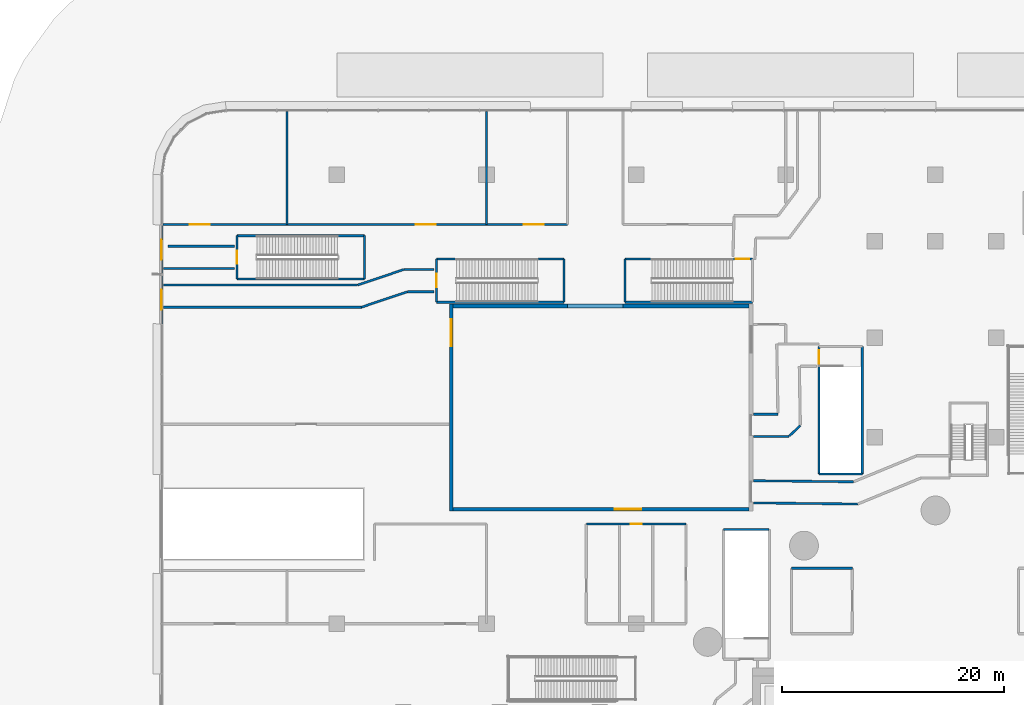
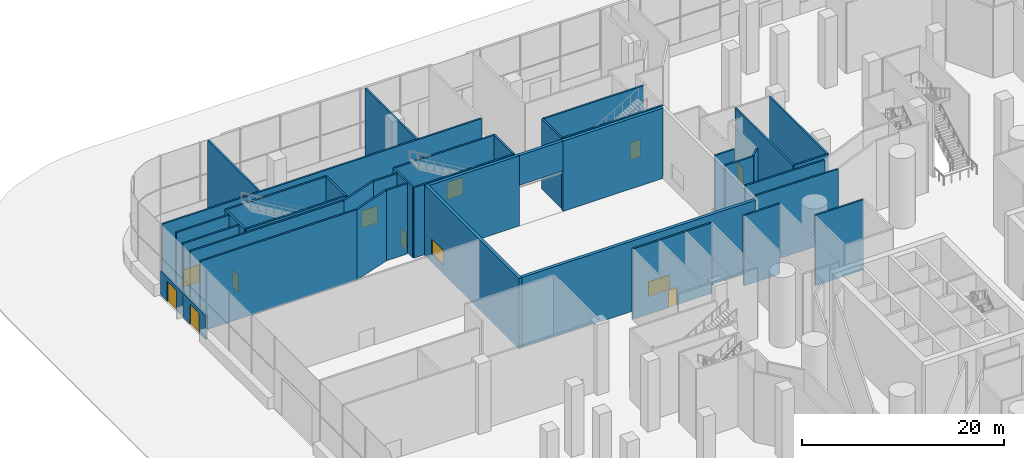
# One storey, part 28 of 54: 40 walls, 10 doors, 2 windows, 12 openings.
"""IFC4 building model written with IfcOpenShell, lengths in metres."""

from ifc_helpers import new_model, si_unit, direction, frame, frame_2d, origin, place, context, subcontext, project, spatial, rectangle, extrude, material, layer, layer_set, type_object, element, fill, save


model = new_model("IFC4")

# Units and contexts
model_context = context("Model", 3, precision=1e-05, world=origin(), true_north=direction((0.0, 1.0)))
body_context = subcontext(model_context, "Body", "Model", "MODEL_VIEW")
ifc_project = project(units=[si_unit("LENGTHUNIT", "METRE"), si_unit("AREAUNIT", "SQUARE_METRE"), si_unit("VOLUMEUNIT", "CUBIC_METRE"), si_unit("PLANEANGLEUNIT", "RADIAN"), si_unit("MASSUNIT", "GRAM", prefix="KILO")], contexts=[model_context])

# Site, building, storey
site_placement = place(None, origin())
site = spatial("IfcSite", under=ifc_project, at=site_placement, CompositionType="ELEMENT")
building_placement = place(site_placement, origin())
building = spatial("IfcBuilding", under=site, at=building_placement, Name="Tamarind Cross Interchange Tower", CompositionType="ELEMENT")
storey_placement = place(building_placement, origin())
storey = spatial("IfcBuildingStorey", under=building, at=storey_placement, Name="L00", CompositionType="ELEMENT", Elevation=0.0)

# Walls
ifc_material_1 = material(Name="Precast concrete C40", Category="concrete")
ifc_layer_1 = layer(ifc_material_1, 0.35009765625)
ifc_layer_set_1 = layer_set([ifc_layer_1], Name="Precast concrete C40")
wall_type_1 = type_object("IfcWallType", Name="Court portal pier wall", PredefinedType="SOLIDWALL", material=ifc_layer_set_1)
wall_1_placement = place(storey_placement, frame((-43.5, 42.175048828125, 0.0), z_axis=(0.0, 0.0, 1.0), x_axis=(1.0, 0.0, 0.0)))
element("IfcWall", 1, at=wall_1_placement, inside=storey, type_object=wall_type_1, Name="CTW-L00-NWN00", PredefinedType="SOLIDWALL", context=body_context, shape_type="SweptSolid", body=[
    extrude(rectangle(XDim=10.300048828125, YDim=0.35009765625, at=frame_2d((5.14990234375, 0.0))), origin(), (0.0, 0.0, 1.0), 8.5),
])
wall_2_placement = place(storey_placement, frame((-28.199951171875, 42.175048828125, 0.0), z_axis=(0.0, 0.0, 1.0), x_axis=(1.0, 0.0, 0.0)))
element("IfcWall", 2, at=wall_2_placement, inside=storey, type_object=wall_type_1, Name="CTW-L00-NWN01", PredefinedType="SOLIDWALL", context=body_context, shape_type="SweptSolid", body=[
    extrude(rectangle(XDim=11.39990234375, YDim=0.35009765625, at=frame_2d((5.699951171875, 0.0))), origin(), (0.0, 0.0, 1.0), 8.5),
])

# Wall, openings, doors
ifc_material_2 = material(Name="Masonry partition, fire-rated", Category="masonry")
ifc_layer_2 = layer(ifc_material_2, 0.199951171875)
ifc_layer_set_2 = layer_set([ifc_layer_2], Name="Masonry partition, fire-rated")
wall_type_2 = type_object("IfcWallType", Name="Fire partition 200 EI 120", PredefinedType="PARTITIONING", material=ifc_layer_set_2)
wall_3_placement = place(storey_placement, frame((-69.698974609375, 49.5, 0.0), z_axis=(0.0, 0.0, 1.0), x_axis=(1.0, 0.0, 0.0)))
wall_3 = element("IfcWall", 3, at=wall_3_placement, inside=storey, type_object=wall_type_2, Name="L00 partition 66", PredefinedType="PARTITIONING", context=body_context, shape_type="SweptSolid", body=[
    extrude(rectangle(XDim=36.4990234375, YDim=0.199951171875, at=frame_2d((18.24951171875, 0.0))), origin(), (0.0, 0.0, 1.0), 8.5),
])
opening_1_placement = place(wall_3_placement, frame((32.573974609375, 0.0, 0.0)))
opening_1 = element("IfcOpeningElement", 4, at=opening_1_placement, cuts=wall_3, Name="Opening DL00-24", PredefinedType="OPENING", context=body_context, shape_type="SweptSolid", body=[
    extrude(rectangle(XDim=1.800048828125, YDim=2.10009765625, at=frame_2d((0.89990234375, 1.050048828125))), frame((0.0, 0.10986328125, 0.0), z_axis=(0.0, -1.0, 0.0), x_axis=(1.0, 0.0, 0.0)), (0.0, 0.0, 1.0), 0.219970703125),
])
opening_2_placement = place(wall_3_placement, frame((22.799072265625, 0.0, 0.0)))
opening_2 = element("IfcOpeningElement", 5, at=opening_2_placement, cuts=wall_3, Name="Opening DL00-25", PredefinedType="OPENING", context=body_context, shape_type="SweptSolid", body=[
    extrude(rectangle(XDim=1.800048828125, YDim=2.10009765625, at=frame_2d((0.89990234375, 1.050048828125))), frame((0.0, 0.10986328125, 0.0), z_axis=(0.0, -1.0, 0.0), x_axis=(1.0, 0.0, 0.0)), (0.0, 0.0, 1.0), 0.219970703125),
])
opening_3_placement = place(wall_3_placement, frame((2.448974609375, 0.0, 0.0)))
opening_3 = element("IfcOpeningElement", 6, at=opening_3_placement, cuts=wall_3, Name="Opening DL00-26", PredefinedType="OPENING", context=body_context, shape_type="SweptSolid", body=[
    extrude(rectangle(XDim=1.800048828125, YDim=2.10009765625, at=frame_2d((0.89990234375, 1.050048828125))), frame((0.0, 0.10986328125, 0.0), z_axis=(0.0, -1.0, 0.0), x_axis=(1.0, 0.0, 0.0)), (0.0, 0.0, 1.0), 0.219970703125),
])
ifc_material_3 = material(Name="Steel, fire-resisting", Category="steel")
door_type_1 = type_object("IfcDoorType", Name="Podium door 1800 x 2100 FD60", OperationType="SINGLE_SWING_LEFT", PredefinedType="DOOR", material=ifc_material_3)
door_1_placement = place(opening_1_placement, origin())
door_1 = element("IfcDoor", 7, at=door_1_placement, inside=storey, type_object=door_type_1, Name="L00 door Coffee Bar 0009", OperationType="SINGLE_SWING_RIGHT", OverallHeight=2.10009765625, OverallWidth=1.800048828125, PredefinedType="DOOR", context=body_context, shape_type="SweptSolid", body=[
    extrude(rectangle(XDim=1.800048828125, YDim=2.10009765625, at=frame_2d((0.89990234375, 1.050048828125))), frame((0.0, 0.02490234375, 0.0), z_axis=(0.0, -1.0, 0.0), x_axis=(1.0, 0.0, 0.0)), (0.0, 0.0, 1.0), 0.050048828125),
])
fill(opening_1, door_1)
door_2_placement = place(opening_2_placement, origin())
door_2 = element("IfcDoor", 8, at=door_2_placement, inside=storey, type_object=door_type_1, Name="L00 door Ticket Agency 0010", OperationType="SINGLE_SWING_LEFT", OverallHeight=2.10009765625, OverallWidth=1.800048828125, PredefinedType="DOOR", context=body_context, shape_type="SweptSolid", body=[
    extrude(rectangle(XDim=1.800048828125, YDim=2.10009765625, at=frame_2d((0.89990234375, 1.050048828125))), frame((0.0, 0.02490234375, 0.0), z_axis=(0.0, -1.0, 0.0), x_axis=(1.0, 0.0, 0.0)), (0.0, 0.0, 1.0), 0.050048828125),
])
fill(opening_2, door_2)
door_3_placement = place(opening_3_placement, origin())
door_3 = element("IfcDoor", 9, at=door_3_placement, inside=storey, type_object=door_type_1, Name="L00 door Bank Branch 0011", OperationType="SINGLE_SWING_RIGHT", OverallHeight=2.10009765625, OverallWidth=1.800048828125, PredefinedType="DOOR", context=body_context, shape_type="SweptSolid", body=[
    extrude(rectangle(XDim=1.800048828125, YDim=2.10009765625, at=frame_2d((0.89990234375, 1.050048828125))), frame((0.0, 0.02490234375, 0.0), z_axis=(0.0, -1.0, 0.0), x_axis=(1.0, 0.0, 0.0)), (0.0, 0.0, 1.0), 0.050048828125),
])
fill(opening_3, door_3)

# Walls
for number, where, z_axis, x_axis, name in (
    (10, (-58.5, 49.5, 0.0), (0.0, 0.0, 1.0), (0.0, 1.0, 0.0), "L00 partition 73"),
    (11, (-40.5, 49.5, 0.0), (0.0, 0.0, 1.0), (0.0, 1.0, 0.0), "L00 partition 79"),
):
    element("IfcWall", number, at=place(storey_placement, frame(where, z_axis=z_axis, x_axis=x_axis)), inside=storey, type_object=wall_type_2, Name=name, PredefinedType="PARTITIONING", context=body_context, shape_type="SweptSolid", body=[
        extrude(rectangle(XDim=10.198974609375, YDim=0.199951171875, at=frame_2d((5.099609375, 0.0))), origin(), (0.0, 0.0, 1.0), 8.5),
    ])

# Wall, opening, door
ifc_layer_3 = layer(ifc_material_2, 0.199951171875)
ifc_layer_set_3 = layer_set([ifc_layer_3], Name="Masonry partition, fire-rated")
wall_type_3 = type_object("IfcWallType", Name="Fire partition 200 EI 90", PredefinedType="PARTITIONING", material=ifc_layer_set_3)
wall_4_placement = place(storey_placement, frame((-31.5, 22.5, 0.0), z_axis=(0.0, 0.0, 1.0), x_axis=(1.0, 0.0, 0.0)))
wall_4 = element("IfcWall", 12, at=wall_4_placement, inside=storey, type_object=wall_type_3, Name="L00 partition 85", PredefinedType="PARTITIONING", context=body_context, shape_type="SweptSolid", body=[
    extrude(rectangle(XDim=9.0, YDim=0.199951171875, at=frame_2d((4.5, 0.0))), origin(), (0.0, 0.0, 1.0), 8.5),
])
opening_4_placement = place(wall_4_placement, frame((4.010009765625, 0.0, 0.0)))
opening_4 = element("IfcOpeningElement", 13, at=opening_4_placement, cuts=wall_4, Name="Opening DL00-19", PredefinedType="OPENING", context=body_context, shape_type="SweptSolid", body=[
    extrude(rectangle(XDim=1.0, YDim=2.10009765625, at=frame_2d((0.5, 1.050048828125))), frame((0.0, 0.10986328125, 0.0), z_axis=(0.0, -1.0, 0.0), x_axis=(1.0, 0.0, 0.0)), (0.0, 0.0, 1.0), 0.219970703125),
])
door_type_2 = type_object("IfcDoorType", Name="Podium door 1000 x 2100 FD60", OperationType="SINGLE_SWING_LEFT", PredefinedType="DOOR", material=ifc_material_3)
door_4_placement = place(opening_4_placement, origin())
door_4 = element("IfcDoor", 14, at=door_4_placement, inside=storey, type_object=door_type_2, Name="L00 door Men's Toilets L00NW", OperationType="SINGLE_SWING_LEFT", OverallHeight=2.10009765625, OverallWidth=1.0, PredefinedType="DOOR", context=body_context, shape_type="SweptSolid", body=[
    extrude(rectangle(XDim=1.0, YDim=2.10009765625, at=frame_2d((0.5, 1.050048828125))), frame((0.0, 0.02490234375, 0.0), z_axis=(0.0, -1.0, 0.0), x_axis=(1.0, 0.0, 0.0)), (0.0, 0.0, 1.0), 0.050048828125),
])
fill(opening_4, door_4)

# Wall
wall_5_placement = place(storey_placement, frame((-13.0, 18.5, 0.0), z_axis=(0.0, 0.0, 1.0), x_axis=(1.0, 0.0, 0.0)))
element("IfcWall", 15, at=wall_5_placement, inside=storey, type_object=wall_type_3, Name="L00 partition 103", PredefinedType="PARTITIONING", context=body_context, shape_type="SweptSolid", body=[
    extrude(rectangle(XDim=5.5, YDim=0.199951171875, at=frame_2d((2.75, 0.0))), origin(), (0.0, 0.0, 1.0), 8.5),
])

# Wall, opening, door
ifc_layer_4 = layer(ifc_material_1, 0.35009765625)
ifc_layer_set_4 = layer_set([ifc_layer_4], Name="Precast concrete C40")
wall_type_4 = type_object("IfcWallType", Name="Podium facade wall", PredefinedType="SOLIDWALL", material=ifc_layer_set_4)
wall_6_placement = place(storey_placement, frame((-69.800048828125, 49.445556640625, 0.0), z_axis=(0.0, 0.0, 1.0), x_axis=(0.0, -1.0, 0.0)))
wall_6 = element("IfcWall", 16, at=wall_6_placement, inside=storey, type_object=wall_type_4, Name="EXW-L00-04-D01", PredefinedType="SOLIDWALL", context=body_context, shape_type="SweptSolid", body=[
    extrude(rectangle(XDim=4.418701171875, YDim=0.199951171875, at=frame_2d((2.20947265625, 0.0))), origin(), (0.0, 0.0, 1.0), 2.89990234375),
])
opening_5_placement = place(wall_6_placement, frame((1.309326171875, 0.0, 0.0)))
opening_5 = element("IfcOpeningElement", 17, at=opening_5_placement, cuts=wall_6, Name="Opening D7", PredefinedType="OPENING", context=body_context, shape_type="SweptSolid", body=[
    extrude(rectangle(XDim=1.800048828125, YDim=2.39990234375, at=frame_2d((0.89990234375, 1.199951171875))), frame((0.0, 0.10986328125, 0.0), z_axis=(0.0, -1.0, 0.0), x_axis=(1.0, 0.0, 0.0)), (0.0, 0.0, 1.0), 0.219970703125),
])
ifc_material_4 = material(Name="Steel FD90", Category="steel")
door_type_3 = type_object("IfcDoorType", Name="Exit passage door", OperationType="DOUBLE_DOOR_SINGLE_SWING", PredefinedType="DOOR", material=ifc_material_4)
door_5_placement = place(opening_5_placement, frame((1.800048828125, 0.0, 0.0), z_axis=(0.0, 0.0, 1.0), x_axis=(-1.0, 0.0, 0.0)))
door_5 = element("IfcDoor", 18, at=door_5_placement, inside=storey, type_object=door_type_3, Name="DOR-L00-04-01", OperationType="SINGLE_SWING_LEFT", OverallHeight=2.39990234375, OverallWidth=1.800048828125, PredefinedType="DOOR", context=body_context, shape_type="SweptSolid", body=[
    extrude(rectangle(XDim=1.800048828125, YDim=2.39990234375, at=frame_2d((0.89990234375, 1.199951171875))), frame((0.0, 0.02490234375, 0.0), z_axis=(0.0, -1.0, 0.0), x_axis=(1.0, 0.0, 0.0)), (0.0, 0.0, 1.0), 0.050048828125),
])
fill(opening_5, door_5)

wall_7_placement = place(storey_placement, frame((-69.800048828125, 44.94677734375, 0.0), z_axis=(0.0, 0.0, 1.0), x_axis=(0.0, -1.0, 0.0)))
wall_7 = element("IfcWall", 19, at=wall_7_placement, inside=storey, type_object=wall_type_4, Name="EXW-L00-04-D02", PredefinedType="SOLIDWALL", context=body_context, shape_type="SweptSolid", body=[
    extrude(rectangle(XDim=4.418701171875, YDim=0.199951171875, at=frame_2d((2.20947265625, 0.0))), origin(), (0.0, 0.0, 1.0), 2.89990234375),
])
opening_6_placement = place(wall_7_placement, frame((1.309326171875, 0.0, 0.0)))
opening_6 = element("IfcOpeningElement", 20, at=opening_6_placement, cuts=wall_7, Name="Opening D7", PredefinedType="OPENING", context=body_context, shape_type="SweptSolid", body=[
    extrude(rectangle(XDim=1.800048828125, YDim=2.39990234375, at=frame_2d((0.89990234375, 1.199951171875))), frame((0.0, 0.10986328125, 0.0), z_axis=(0.0, -1.0, 0.0), x_axis=(1.0, 0.0, 0.0)), (0.0, 0.0, 1.0), 0.219970703125),
])
door_6_placement = place(opening_6_placement, frame((1.800048828125, 0.0, 0.0), z_axis=(0.0, 0.0, 1.0), x_axis=(-1.0, 0.0, 0.0)))
door_6 = element("IfcDoor", 21, at=door_6_placement, inside=storey, type_object=door_type_3, Name="DOR-L00-04-02", OperationType="SINGLE_SWING_LEFT", OverallHeight=2.39990234375, OverallWidth=1.800048828125, PredefinedType="DOOR", context=body_context, shape_type="SweptSolid", body=[
    extrude(rectangle(XDim=1.800048828125, YDim=2.39990234375, at=frame_2d((0.89990234375, 1.199951171875))), frame((0.0, 0.02490234375, 0.0), z_axis=(0.0, -1.0, 0.0), x_axis=(1.0, 0.0, 0.0)), (0.0, 0.0, 1.0), 0.050048828125),
])
fill(opening_6, door_6)

# Wall, opening, window
wall_8_placement = place(storey_placement, frame((-43.5, 23.824951171875, 0.0), z_axis=(0.0, 0.0, 1.0), x_axis=(1.0, 0.0, 0.0)))
wall_8 = element("IfcWall", 22, at=wall_8_placement, inside=storey, type_object=wall_type_4, Name="CTW-L00-NWS00", PredefinedType="SOLIDWALL", context=body_context, shape_type="SweptSolid", body=[
    extrude(rectangle(XDim=26.699951171875, YDim=0.35009765625, at=frame_2d((13.35009765625, 0.0))), origin(), (0.0, 0.0, 1.0), 8.5),
])
opening_7_placement = place(wall_8_placement, frame((14.550048828125, 0.0, 1.0)))
opening_7 = element("IfcOpeningElement", 23, at=opening_7_placement, cuts=wall_8, Name="Opening W4", PredefinedType="OPENING", context=body_context, shape_type="SweptSolid", body=[
    extrude(rectangle(XDim=2.39990234375, YDim=1.800048828125, at=frame_2d((1.199951171875, 0.89990234375))), frame((0.0, 0.18505859375, 0.0), z_axis=(0.0, -1.0, 0.0), x_axis=(1.0, 0.0, 0.0)), (0.0, 0.0, 1.0), 0.3701171875),
])
ifc_material_5 = material(Name="Aluminium and toughened glass", Category="aluminium")
window_type = type_object("IfcWindowType", Name="Podium daylight window", PartitioningType="SINGLE_PANEL", PredefinedType="WINDOW", material=ifc_material_5)
window_1_placement = place(opening_7_placement, origin())
window_1 = element("IfcWindow", 24, at=window_1_placement, inside=storey, type_object=window_type, Name="CTX-L00-NWS-01-00", OverallHeight=1.800048828125, OverallWidth=2.39990234375, PartitioningType="SINGLE_PANEL", PredefinedType="WINDOW", context=body_context, shape_type="SweptSolid", body=[
    extrude(rectangle(XDim=2.39990234375, YDim=1.800048828125, at=frame_2d((1.199951171875, 0.89990234375))), frame((0.0, 0.030029296875, 0.0), z_axis=(0.0, -1.0, 0.0), x_axis=(1.0, 0.0, 0.0)), (0.0, 0.0, 1.0), 0.06005859375),
])
fill(opening_7, window_1)

# Wall
wall_9_placement = place(storey_placement, frame((-33.199951171875, 42.175048828125, 4.89990234375), z_axis=(0.0, 0.0, 1.0), x_axis=(1.0, 0.0, 0.0)))
element("IfcWall", 25, at=wall_9_placement, inside=storey, type_object=wall_type_4, Name="CTW-L00-NWN02", PredefinedType="SOLIDWALL", context=body_context, shape_type="SweptSolid", body=[
    extrude(rectangle(XDim=5.0, YDim=0.35009765625, at=frame_2d((2.5, 0.0))), origin(), (0.0, 0.0, 1.0), 3.60009765625),
])

# Wall, opening, window
wall_10_placement = place(storey_placement, frame((-43.675048828125, 23.64990234375, 0.0), z_axis=(0.0, 0.0, 1.0), x_axis=(0.0, 1.0, 0.0)))
wall_10 = element("IfcWall", 26, at=wall_10_placement, inside=storey, type_object=wall_type_4, Name="CTW-L00-NWW00", PredefinedType="SOLIDWALL", context=body_context, shape_type="SweptSolid", body=[
    extrude(rectangle(XDim=18.7001953125, YDim=0.35009765625, at=frame_2d((9.35009765625, 0.0))), origin(), (0.0, 0.0, 1.0), 8.5),
])
opening_8_placement = place(wall_10_placement, frame((14.89990234375, 0.0, 1.0)))
opening_8 = element("IfcOpeningElement", 27, at=opening_8_placement, cuts=wall_10, Name="Opening W4", PredefinedType="OPENING", context=body_context, shape_type="SweptSolid", body=[
    extrude(rectangle(XDim=2.39990234375, YDim=1.800048828125, at=frame_2d((1.199951171875, 0.89990234375))), frame((0.0, 0.18505859375, 0.0), z_axis=(0.0, -1.0, 0.0), x_axis=(1.0, 0.0, 0.0)), (0.0, 0.0, 1.0), 0.3701171875),
])
window_2_placement = place(opening_8_placement, origin())
window_2 = element("IfcWindow", 28, at=window_2_placement, inside=storey, type_object=window_type, Name="CTX-L00-NWW-01-00", OverallHeight=1.800048828125, OverallWidth=2.39990234375, PartitioningType="SINGLE_PANEL", PredefinedType="WINDOW", context=body_context, shape_type="SweptSolid", body=[
    extrude(rectangle(XDim=2.39990234375, YDim=1.800048828125, at=frame_2d((1.199951171875, 0.89990234375))), frame((0.0, 0.030029296875, 0.0), z_axis=(0.0, -1.0, 0.0), x_axis=(1.0, 0.0, 0.0)), (0.0, 0.0, 1.0), 0.06005859375),
])
fill(opening_8, window_2)

# Walls
ifc_material_6 = material(Name="Concrete C40", Category="concrete")
ifc_layer_5 = layer(ifc_material_6, 0.199951171875)
ifc_layer_set_5 = layer_set([ifc_layer_5], Name="Concrete C40")
wall_type_5 = type_object("IfcWallType", Name="Protected passage wall 200 EI 180", PredefinedType="PARTITIONING", material=ifc_layer_set_5)
wall_11_placement = place(storey_placement, frame((-7.007080078125, 24.2978515625, 0.0), z_axis=(0.0, 0.0, 1.0), x_axis=(-0.999941090537, 0.010854282822, 0.0)))
element("IfcWall", 29, at=wall_11_placement, inside=storey, type_object=wall_type_5, Name="L00 passage wall 128", PredefinedType="PARTITIONING", context=body_context, shape_type="SweptSolid", body=[
    extrude(rectangle(XDim=9.42431640625, YDim=0.199951171875, at=frame_2d((4.712158203125, 0.0))), origin(), (0.0, 0.0, 1.0), 8.5),
])
wall_12_placement = place(storey_placement, frame((-7.392822265625, 26.30224609375, 0.0), z_axis=(0.0, 0.0, 1.0), x_axis=(-0.99994134978, 0.010830373938, 0.0)))
element("IfcWall", 30, at=wall_12_placement, inside=storey, type_object=wall_type_5, Name="L00 passage wall 131", PredefinedType="PARTITIONING", context=body_context, shape_type="SweptSolid", body=[
    extrude(rectangle(XDim=9.016845703125, YDim=0.199951171875, at=frame_2d((4.50830078125, 0.0))), origin(), (0.0, 0.0, 1.0), 8.5),
])
wall_13_placement = place(storey_placement, frame((-45.219970703125, 43.449951171875, 0.0), z_axis=(0.0, 0.0, 1.0), x_axis=(-1.0, 0.0, 0.0)))
element("IfcWall", 31, at=wall_13_placement, inside=storey, type_object=wall_type_5, Name="L00 passage wall 175", PredefinedType="PARTITIONING", context=body_context, shape_type="SweptSolid", body=[
    extrude(rectangle(XDim=2.416015625, YDim=0.199951171875, at=frame_2d((1.2080078125, 0.0))), origin(), (0.0, 0.0, 1.0), 8.5),
])
wall_14_placement = place(storey_placement, frame((-47.635986328125, 43.449951171875, 0.0), z_axis=(0.0, 0.0, 1.0), x_axis=(-0.947539982163, -0.319637266603, 0.0)))
element("IfcWall", 32, at=wall_14_placement, inside=storey, type_object=wall_type_5, Name="L00 passage wall 176", PredefinedType="PARTITIONING", context=body_context, shape_type="SweptSolid", body=[
    extrude(rectangle(XDim=4.379638671875, YDim=0.199951171875, at=frame_2d((2.18994140625, 0.0))), origin(), (0.0, 0.0, 1.0), 8.5),
])
wall_15_placement = place(storey_placement, frame((-51.785888671875, 42.050048828125, 0.0), z_axis=(0.0, 0.0, 1.0), x_axis=(-1.0, 0.0, 0.0)))
element("IfcWall", 33, at=wall_15_placement, inside=storey, type_object=wall_type_5, Name="L00 passage wall 177", PredefinedType="PARTITIONING", context=body_context, shape_type="SweptSolid", body=[
    extrude(rectangle(XDim=17.864013671875, YDim=0.199951171875, at=frame_2d((8.93212890625, 0.0))), origin(), (0.0, 0.0, 1.0), 8.5),
])
wall_16_placement = place(storey_placement, frame((-45.219970703125, 45.449951171875, 0.0), z_axis=(0.0, 0.0, 1.0), x_axis=(-1.0, 0.0, 0.0)))
element("IfcWall", 34, at=wall_16_placement, inside=storey, type_object=wall_type_5, Name="L00 passage wall 178", PredefinedType="PARTITIONING", context=body_context, shape_type="SweptSolid", body=[
    extrude(rectangle(XDim=2.744140625, YDim=0.199951171875, at=frame_2d((1.3720703125, 0.0))), origin(), (0.0, 0.0, 1.0), 8.5),
])
wall_17_placement = place(storey_placement, frame((-47.964111328125, 45.449951171875, 0.0), z_axis=(0.0, 0.0, 1.0), x_axis=(-0.947539982163, -0.319637266603, 0.0)))
element("IfcWall", 35, at=wall_17_placement, inside=storey, type_object=wall_type_5, Name="L00 passage wall 179", PredefinedType="PARTITIONING", context=body_context, shape_type="SweptSolid", body=[
    extrude(rectangle(XDim=4.379638671875, YDim=0.199951171875, at=frame_2d((2.18994140625, 0.0))), origin(), (0.0, 0.0, 1.0), 8.5),
])
wall_18_placement = place(storey_placement, frame((-52.114013671875, 44.050048828125, 0.0), z_axis=(0.0, 0.0, 1.0), x_axis=(-1.0, 0.0, 0.0)))
element("IfcWall", 36, at=wall_18_placement, inside=storey, type_object=wall_type_5, Name="L00 passage wall 180", PredefinedType="PARTITIONING", context=body_context, shape_type="SweptSolid", body=[
    extrude(rectangle(XDim=17.535888671875, YDim=0.199951171875, at=frame_2d((8.76806640625, 0.0))), origin(), (0.0, 0.0, 1.0), 8.5),
])
wall_19_placement = place(storey_placement, frame((-63.219970703125, 45.550048828125, 0.0), z_axis=(0.0, 0.0, 1.0), x_axis=(-1.0, 0.0, 0.0)))
element("IfcWall", 37, at=wall_19_placement, inside=storey, type_object=wall_type_5, Name="L00 passage wall 181", PredefinedType="PARTITIONING", context=body_context, shape_type="SweptSolid", body=[
    extrude(rectangle(XDim=6.429931640625, YDim=0.199951171875, at=frame_2d((3.21484375, 0.0))), origin(), (0.0, 0.0, 1.0), 8.5),
])
wall_20_placement = place(storey_placement, frame((-63.219970703125, 47.550048828125, 0.0), z_axis=(0.0, 0.0, 1.0), x_axis=(-1.0, 0.0, 0.0)))
element("IfcWall", 38, at=wall_20_placement, inside=storey, type_object=wall_type_5, Name="L00 passage wall 182", PredefinedType="PARTITIONING", context=body_context, shape_type="SweptSolid", body=[
    extrude(rectangle(XDim=6.010009765625, YDim=0.199951171875, at=frame_2d((3.0048828125, 0.0))), origin(), (0.0, 0.0, 1.0), 8.5),
])
wall_21_placement = place(storey_placement, frame((-12.192626953125, 31.37841796875, 0.0), z_axis=(0.0, 0.0, 1.0), x_axis=(-0.724197315558, -0.689592813288, 0.0)))
element("IfcWall", 39, at=wall_21_placement, inside=storey, type_object=wall_type_5, Name="L00 passage wall 220", PredefinedType="PARTITIONING", context=body_context, shape_type="SweptSolid", body=[
    extrude(rectangle(XDim=1.36865234375, YDim=0.199951171875, at=frame_2d((0.684326171875, 0.0))), origin(), (0.0, 0.0, 1.0), 8.5),
])
wall_22_placement = place(storey_placement, frame((-13.219970703125, 30.39990234375, 0.0), z_axis=(0.0, 0.0, 1.0), x_axis=(-1.0, 0.0, 0.0)))
element("IfcWall", 40, at=wall_22_placement, inside=storey, type_object=wall_type_5, Name="L00 passage wall 221", PredefinedType="PARTITIONING", context=body_context, shape_type="SweptSolid", body=[
    extrude(rectangle(XDim=3.199951171875, YDim=0.199951171875, at=frame_2d((1.60009765625, 0.0))), origin(), (0.0, 0.0, 1.0), 8.5),
])
wall_23_placement = place(storey_placement, frame((-14.210205078125, 32.39990234375, 0.0), z_axis=(0.0, 0.0, 1.0), x_axis=(-1.0, 0.0, 0.0)))
element("IfcWall", 41, at=wall_23_placement, inside=storey, type_object=wall_type_5, Name="L00 passage wall 224", PredefinedType="PARTITIONING", context=body_context, shape_type="SweptSolid", body=[
    extrude(rectangle(XDim=2.209716796875, YDim=0.199951171875, at=frame_2d((1.10498046875, 0.0))), origin(), (0.0, 0.0, 1.0), 8.5),
])
ifc_layer_6 = layer(ifc_material_6, 0.199951171875)
ifc_layer_set_6 = layer_set([ifc_layer_6], Name="Concrete C40")
wall_type_6 = type_object("IfcWallType", Name="Stair shaft wall 200 EI 180", PredefinedType="PARTITIONING", material=ifc_layer_set_6)
wall_24_placement = place(storey_placement, frame((-63.0, 48.5, 0.0), z_axis=(0.0, 0.0, 1.0), x_axis=(1.0, 0.0, 0.0)))
element("IfcWall", 42, at=wall_24_placement, inside=storey, type_object=wall_type_6, Name="L00 stair shaft wall 1", PredefinedType="PARTITIONING", context=body_context, shape_type="SweptSolid", body=[
    extrude(rectangle(XDim=11.5, YDim=0.199951171875, at=frame_2d((5.75, 0.0))), origin(), (0.0, 0.0, 1.0), 8.5),
])
wall_25_placement = place(storey_placement, frame((-51.5, 44.60009765625, 0.0), z_axis=(0.0, 0.0, 1.0), x_axis=(0.0, 1.0, 0.0)))
element("IfcWall", 43, at=wall_25_placement, inside=storey, type_object=wall_type_6, Name="L00 stair shaft wall 2", PredefinedType="PARTITIONING", context=body_context, shape_type="SweptSolid", body=[
    extrude(rectangle(XDim=3.89990234375, YDim=0.199951171875, at=frame_2d((1.949951171875, 0.0))), origin(), (0.0, 0.0, 1.0), 8.5),
])
wall_26_placement = place(storey_placement, frame((-63.0, 44.60009765625, 0.0), z_axis=(0.0, 0.0, 1.0), x_axis=(1.0, 0.0, 0.0)))
element("IfcWall", 44, at=wall_26_placement, inside=storey, type_object=wall_type_6, Name="L00 stair shaft wall 3", PredefinedType="PARTITIONING", context=body_context, shape_type="SweptSolid", body=[
    extrude(rectangle(XDim=11.5, YDim=0.199951171875, at=frame_2d((5.75, 0.0))), origin(), (0.0, 0.0, 1.0), 8.5),
])

# Wall, opening, door
wall_27_placement = place(storey_placement, frame((-63.0, 44.60009765625, 0.0), z_axis=(0.0, 0.0, 1.0), x_axis=(0.0, 1.0, 0.0)))
wall_27 = element("IfcWall", 45, at=wall_27_placement, inside=storey, type_object=wall_type_6, Name="L00 stair shaft wall 4", PredefinedType="PARTITIONING", context=body_context, shape_type="SweptSolid", body=[
    extrude(rectangle(XDim=3.89990234375, YDim=0.199951171875, at=frame_2d((1.949951171875, 0.0))), origin(), (0.0, 0.0, 1.0), 8.5),
])
opening_9_placement = place(wall_27_placement, frame((1.35009765625, 0.0, 0.0)))
opening_9 = element("IfcOpeningElement", 46, at=opening_9_placement, cuts=wall_27, Name="Opening DL00-07", PredefinedType="OPENING", context=body_context, shape_type="SweptSolid", body=[
    extrude(rectangle(XDim=1.199951171875, YDim=2.10009765625, at=frame_2d((0.60009765625, 1.050048828125))), frame((0.0, 0.10986328125, 0.0), z_axis=(0.0, -1.0, 0.0), x_axis=(1.0, 0.0, 0.0)), (0.0, 0.0, 1.0), 0.219970703125),
])
door_type_4 = type_object("IfcDoorType", Name="Podium door 1200 x 2100 FD90", OperationType="SINGLE_SWING_LEFT", PredefinedType="DOOR", material=ifc_material_3)
door_7_placement = place(opening_9_placement, origin())
door_7 = element("IfcDoor", 47, at=door_7_placement, inside=storey, type_object=door_type_4, Name="L00 door Exit Stair PX5", OperationType="SINGLE_SWING_LEFT", OverallHeight=2.10009765625, OverallWidth=1.199951171875, PredefinedType="DOOR", context=body_context, shape_type="SweptSolid", body=[
    extrude(rectangle(XDim=1.199951171875, YDim=2.10009765625, at=frame_2d((0.60009765625, 1.050048828125))), frame((0.0, 0.02490234375, 0.0), z_axis=(0.0, -1.0, 0.0), x_axis=(1.0, 0.0, 0.0)), (0.0, 0.0, 1.0), 0.050048828125),
])
fill(opening_9, door_7)

# Walls
wall_28_placement = place(storey_placement, frame((-45.0, 46.39990234375, 0.0), z_axis=(0.0, 0.0, 1.0), x_axis=(1.0, 0.0, 0.0)))
element("IfcWall", 48, at=wall_28_placement, inside=storey, type_object=wall_type_6, Name="L00 stair shaft wall 13", PredefinedType="PARTITIONING", context=body_context, shape_type="SweptSolid", body=[
    extrude(rectangle(XDim=11.5, YDim=0.199951171875, at=frame_2d((5.75, 0.0))), origin(), (0.0, 0.0, 1.0), 8.5),
])
wall_29_placement = place(storey_placement, frame((-33.5, 42.5, 0.0), z_axis=(0.0, 0.0, 1.0), x_axis=(0.0, 1.0, 0.0)))
element("IfcWall", 49, at=wall_29_placement, inside=storey, type_object=wall_type_6, Name="L00 stair shaft wall 14", PredefinedType="PARTITIONING", context=body_context, shape_type="SweptSolid", body=[
    extrude(rectangle(XDim=3.89990234375, YDim=0.199951171875, at=frame_2d((1.949951171875, 0.0))), origin(), (0.0, 0.0, 1.0), 8.5),
])
wall_30_placement = place(storey_placement, frame((-45.0, 42.5, 0.0), z_axis=(0.0, 0.0, 1.0), x_axis=(1.0, 0.0, 0.0)))
element("IfcWall", 50, at=wall_30_placement, inside=storey, type_object=wall_type_6, Name="L00 stair shaft wall 15", PredefinedType="PARTITIONING", context=body_context, shape_type="SweptSolid", body=[
    extrude(rectangle(XDim=11.5, YDim=0.199951171875, at=frame_2d((5.75, 0.0))), origin(), (0.0, 0.0, 1.0), 8.5),
])

# Wall, opening, door
wall_31_placement = place(storey_placement, frame((-45.0, 42.5, 0.0), z_axis=(0.0, 0.0, 1.0), x_axis=(0.0, 1.0, 0.0)))
wall_31 = element("IfcWall", 51, at=wall_31_placement, inside=storey, type_object=wall_type_6, Name="L00 stair shaft wall 16", PredefinedType="PARTITIONING", context=body_context, shape_type="SweptSolid", body=[
    extrude(rectangle(XDim=3.89990234375, YDim=0.199951171875, at=frame_2d((1.949951171875, 0.0))), origin(), (0.0, 0.0, 1.0), 8.5),
])
opening_10_placement = place(wall_31_placement, frame((1.35009765625, 0.0, 0.0)))
opening_10 = element("IfcOpeningElement", 52, at=opening_10_placement, cuts=wall_31, Name="Opening DL00-06", PredefinedType="OPENING", context=body_context, shape_type="SweptSolid", body=[
    extrude(rectangle(XDim=1.199951171875, YDim=2.10009765625, at=frame_2d((0.60009765625, 1.050048828125))), frame((0.0, 0.10986328125, 0.0), z_axis=(0.0, -1.0, 0.0), x_axis=(1.0, 0.0, 0.0)), (0.0, 0.0, 1.0), 0.219970703125),
])
door_8_placement = place(opening_10_placement, origin())
door_8 = element("IfcDoor", 53, at=door_8_placement, inside=storey, type_object=door_type_4, Name="L00 door Exit Stair PX4", OperationType="SINGLE_SWING_RIGHT", OverallHeight=2.10009765625, OverallWidth=1.199951171875, PredefinedType="DOOR", context=body_context, shape_type="SweptSolid", body=[
    extrude(rectangle(XDim=1.199951171875, YDim=2.10009765625, at=frame_2d((0.60009765625, 1.050048828125))), frame((0.0, 0.02490234375, 0.0), z_axis=(0.0, -1.0, 0.0), x_axis=(1.0, 0.0, 0.0)), (0.0, 0.0, 1.0), 0.050048828125),
])
fill(opening_10, door_8)

# Walls
wall_32_placement = place(storey_placement, frame((-19.10009765625, 22.0, 0.0), z_axis=(0.0, 0.0, 1.0), x_axis=(1.0, 0.0, 0.0)))
element("IfcWall", 54, at=wall_32_placement, inside=storey, type_object=wall_type_6, Name="L00 stair shaft wall 22", PredefinedType="PARTITIONING", context=body_context, shape_type="SweptSolid", body=[
    extrude(rectangle(XDim=4.10009765625, YDim=0.199951171875, at=frame_2d((2.050048828125, 0.0))), origin(), (0.0, 0.0, 1.0), 8.5),
])
wall_33_placement = place(storey_placement, frame((-28.0, 42.5, 0.0), z_axis=(0.0, 0.0, 1.0), x_axis=(1.0, 0.0, 0.0)))
element("IfcWall", 55, at=wall_33_placement, inside=storey, type_object=wall_type_6, Name="L00 stair shaft wall 25", PredefinedType="PARTITIONING", context=body_context, shape_type="SweptSolid", body=[
    extrude(rectangle(XDim=11.5, YDim=0.199951171875, at=frame_2d((5.75, 0.0))), origin(), (0.0, 0.0, 1.0), 8.5),
])
wall_34_placement = place(storey_placement, frame((-28.0, 42.5, 0.0), z_axis=(0.0, 0.0, 1.0), x_axis=(0.0, 1.0, 0.0)))
element("IfcWall", 56, at=wall_34_placement, inside=storey, type_object=wall_type_6, Name="L00 stair shaft wall 26", PredefinedType="PARTITIONING", context=body_context, shape_type="SweptSolid", body=[
    extrude(rectangle(XDim=3.89990234375, YDim=0.199951171875, at=frame_2d((1.949951171875, 0.0))), origin(), (0.0, 0.0, 1.0), 8.5),
])

# Wall, opening, door
wall_35_placement = place(storey_placement, frame((-28.0, 46.39990234375, 0.0), z_axis=(0.0, 0.0, 1.0), x_axis=(1.0, 0.0, 0.0)))
wall_35 = element("IfcWall", 57, at=wall_35_placement, inside=storey, type_object=wall_type_6, Name="L00 stair shaft wall 27", PredefinedType="PARTITIONING", context=body_context, shape_type="SweptSolid", body=[
    extrude(rectangle(XDim=11.5, YDim=0.199951171875, at=frame_2d((5.75, 0.0))), origin(), (0.0, 0.0, 1.0), 8.5),
])
opening_11_placement = place(wall_35_placement, frame((9.98681640625, 0.0, 0.0)))
opening_11 = element("IfcOpeningElement", 58, at=opening_11_placement, cuts=wall_35, Name="Opening DL00-08", PredefinedType="OPENING", context=body_context, shape_type="SweptSolid", body=[
    extrude(rectangle(XDim=1.199951171875, YDim=2.10009765625, at=frame_2d((0.60009765625, 1.050048828125))), frame((0.0, 0.10986328125, 0.0), z_axis=(0.0, -1.0, 0.0), x_axis=(1.0, 0.0, 0.0)), (0.0, 0.0, 1.0), 0.219970703125),
])
door_9_placement = place(opening_11_placement, origin())
door_9 = element("IfcDoor", 59, at=door_9_placement, inside=storey, type_object=door_type_4, Name="L00 door Exit Stair PX6", OperationType="SINGLE_SWING_RIGHT", OverallHeight=2.10009765625, OverallWidth=1.199951171875, PredefinedType="DOOR", context=body_context, shape_type="SweptSolid", body=[
    extrude(rectangle(XDim=1.199951171875, YDim=2.10009765625, at=frame_2d((0.60009765625, 1.050048828125))), frame((0.0, 0.02490234375, 0.0), z_axis=(0.0, -1.0, 0.0), x_axis=(1.0, 0.0, 0.0)), (0.0, 0.0, 1.0), 0.050048828125),
])
fill(opening_11, door_9)

# Walls
wall_36_placement = place(storey_placement, frame((-6.60009765625, 27.0, 0.0), z_axis=(0.0, 0.0, 1.0), x_axis=(0.0, 1.0, 0.0)))
element("IfcWall", 60, at=wall_36_placement, inside=storey, type_object=wall_type_6, Name="L00 stair shaft wall 29", PredefinedType="PARTITIONING", context=body_context, shape_type="SweptSolid", body=[
    extrude(rectangle(XDim=11.5, YDim=0.199951171875, at=frame_2d((5.75, 0.0))), origin(), (0.0, 0.0, 1.0), 8.5),
])
wall_37_placement = place(storey_placement, frame((-10.5, 27.0, 0.0), z_axis=(0.0, 0.0, 1.0), x_axis=(1.0, 0.0, 0.0)))
element("IfcWall", 61, at=wall_37_placement, inside=storey, type_object=wall_type_6, Name="L00 stair shaft wall 30", PredefinedType="PARTITIONING", context=body_context, shape_type="SweptSolid", body=[
    extrude(rectangle(XDim=3.89990234375, YDim=0.199951171875, at=frame_2d((1.949951171875, 0.0))), origin(), (0.0, 0.0, 1.0), 8.5),
])

# Wall, opening, door
wall_38_placement = place(storey_placement, frame((-10.5, 27.0, 0.0), z_axis=(0.0, 0.0, 1.0), x_axis=(0.0, 1.0, 0.0)))
wall_38 = element("IfcWall", 62, at=wall_38_placement, inside=storey, type_object=wall_type_6, Name="L00 stair shaft wall 31", PredefinedType="PARTITIONING", context=body_context, shape_type="SweptSolid", body=[
    extrude(rectangle(XDim=11.5, YDim=0.199951171875, at=frame_2d((5.75, 0.0))), origin(), (0.0, 0.0, 1.0), 8.5),
])
opening_12_placement = place(wall_38_placement, frame((9.947998046875, 0.0, 0.0)))
opening_12 = element("IfcOpeningElement", 63, at=opening_12_placement, cuts=wall_38, Name="Opening DL00-15", PredefinedType="OPENING", context=body_context, shape_type="SweptSolid", body=[
    extrude(rectangle(XDim=1.199951171875, YDim=2.10009765625, at=frame_2d((0.60009765625, 1.050048828125))), frame((0.0, 0.10986328125, 0.0), z_axis=(0.0, -1.0, 0.0), x_axis=(1.0, 0.0, 0.0)), (0.0, 0.0, 1.0), 0.219970703125),
])
door_10_placement = place(opening_12_placement, origin())
door_10 = element("IfcDoor", 64, at=door_10_placement, inside=storey, type_object=door_type_4, Name="L00 door Exit Stair PX13", OperationType="SINGLE_SWING_LEFT", OverallHeight=2.10009765625, OverallWidth=1.199951171875, PredefinedType="DOOR", context=body_context, shape_type="SweptSolid", body=[
    extrude(rectangle(XDim=1.199951171875, YDim=2.10009765625, at=frame_2d((0.60009765625, 1.050048828125))), frame((0.0, 0.02490234375, 0.0), z_axis=(0.0, -1.0, 0.0), x_axis=(1.0, 0.0, 0.0)), (0.0, 0.0, 1.0), 0.050048828125),
])
fill(opening_12, door_10)

save(model, "model.ifc")
